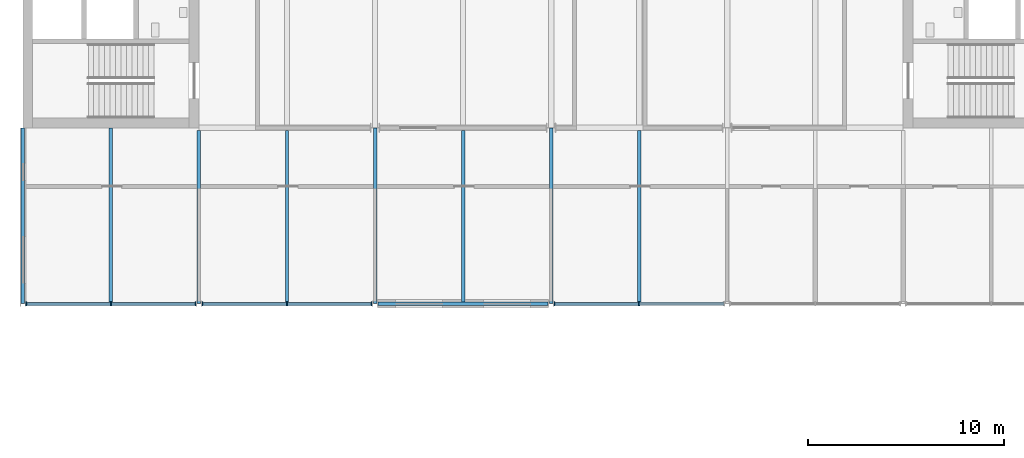
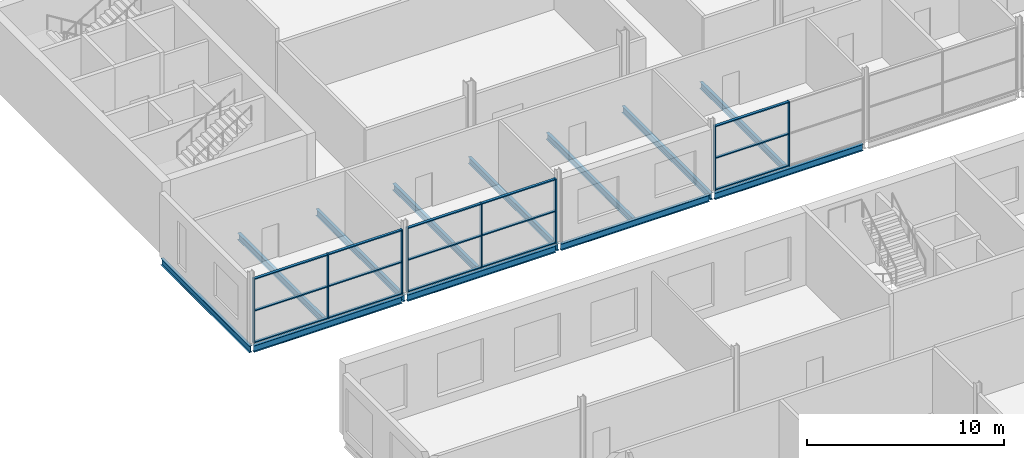
# One storey, part 39 of 97: 23 members, 12 beams, 3 elements without a shape of their own.
"""IFC4 building model written with IfcOpenShell, lengths in metres."""

from ifc_helpers import new_model, si_unit, direction, frame, origin, origin_2d, place, context, subcontext, project, spatial, rectangle, i_section, extrude, material, layer, layer_set, material_profile, profile_set, type_object, element, aggregate, save


model = new_model("IFC4")

# Units and contexts
model_context = context("Model", 3, precision=1e-05, world=origin(), true_north=direction((0.0, 1.0)))
body_context = subcontext(model_context, "Body", "Model", "MODEL_VIEW")
ifc_project = project(units=[si_unit("LENGTHUNIT", "METRE"), si_unit("AREAUNIT", "SQUARE_METRE"), si_unit("VOLUMEUNIT", "CUBIC_METRE"), si_unit("PLANEANGLEUNIT", "RADIAN"), si_unit("MASSUNIT", "GRAM", prefix="KILO")], contexts=[model_context])

# Site, building, storey
site_placement = place(None, origin())
site = spatial("IfcSite", under=ifc_project, at=site_placement, CompositionType="ELEMENT")
building_placement = place(site_placement, origin())
building = spatial("IfcBuilding", under=site, at=building_placement, Name="Corbel Yard City Hall", CompositionType="ELEMENT")
storey_placement = place(building_placement, frame((0.0, 0.0, 6.0)))
storey = spatial("IfcBuildingStorey", under=building, at=storey_placement, Name="L01", CompositionType="ELEMENT", Elevation=6.0)

# Beams
ifc_material_1 = material(Name="Steel Grade 300 (300 MPa yield)", Category="steel")
ifc_material_profile_1 = material_profile(ifc_material_1, i_section(OverallWidth=0.177978515625, OverallDepth=0.403076171875, WebThickness=0.007568359375, FlangeThickness=0.010986328125, at=origin_2d()), Name="410UB53.7")
ifc_profile_set_1 = profile_set([ifc_material_profile_1], Name="Steel Grade 300 (300 MPa yield)")
beam_type_1 = type_object("IfcBeamType", Name="Beam 410UB53.7", PredefinedType="BEAM", material=ifc_profile_set_1)
beam_1_placement = place(storey_placement, frame((9.0, 90.005859375, -0.3515625), z_axis=(0.0, 1.0, 0.0), x_axis=(-1.0, 0.0, 0.0)))
element("IfcBeam", 1, at=beam_1_placement, inside=storey, type_object=beam_type_1, Name="Beam 410UB53.7 SB6 L01floor", PredefinedType="BEAM", context=body_context, shape_type="SweptSolid", body=[
    extrude(i_section(OverallWidth=0.177978515625, OverallDepth=0.403076171875, WebThickness=0.007568359375, FlangeThickness=0.010986328125, at=origin_2d()), origin(), (0.0, 0.0, 1.0), 8.856689453125),
])
for number, where, z_axis, x_axis, name in (
    (2, (18.0, 90.005859375, -0.3515625), (0.0, 1.0, 0.0), (-1.0, 0.0, 0.0), "Beam 410UB53.7 SB6 L01floor"),
    (3, (27.0, 90.005859375, -0.3515625), (0.0, 1.0, 0.0), (-1.0, 0.0, 0.0), "Beam 410UB53.7 SB6 L01floor"),
):
    element("IfcBeam", number, at=place(storey_placement, frame(where, z_axis=z_axis, x_axis=x_axis)), inside=storey, type_object=beam_type_1, Name=name, PredefinedType="BEAM", context=body_context, shape_type="SweptSolid", body=[
        extrude(i_section(OverallWidth=0.177978515625, OverallDepth=0.403076171875, WebThickness=0.007568359375, FlangeThickness=0.010986328125, at=origin_2d()), origin(), (0.0, 0.0, 1.0), 8.97412109375),
    ])
ifc_material_profile_2 = material_profile(ifc_material_1, i_section(OverallWidth=0.177978515625, OverallDepth=0.406005859375, WebThickness=0.0078125, FlangeThickness=0.0126953125, at=origin_2d()), Name="410UB59.7")
ifc_profile_set_2 = profile_set([ifc_material_profile_2], Name="Steel Grade 300 (300 MPa yield)")
beam_type_2 = type_object("IfcBeamType", Name="Edge beam 410UB59.7", PredefinedType="BEAM", material=ifc_profile_set_2)
for number, where, z_axis, x_axis, name in (
    (4, (0.157470703125, 90.0, -0.35302734375), (1.0, 0.0, 0.0), (0.0, 1.0, 0.0), "Edge beam 410UB59.7 EB2 L01floor"),
    (5, (9.157470703125, 90.0, -0.35302734375), (1.0, 0.0, 0.0), (0.0, 1.0, 0.0), "Edge beam 410UB59.7 EB2 L01floor"),
    (6, (18.157470703125, 90.0, -0.35302734375), (1.0, 0.0, 0.0), (0.0, 1.0, 0.0), "Edge beam 410UB59.7 EB2 L01floor"),
    (7, (27.157470703125, 90.0, -0.35302734375), (1.0, 0.0, 0.0), (0.0, 1.0, 0.0), "Edge beam 410UB59.7 EB2 L01floor"),
):
    element("IfcBeam", number, at=place(storey_placement, frame(where, z_axis=z_axis, x_axis=x_axis)), inside=storey, type_object=beam_type_2, Name=name, PredefinedType="BEAM", context=body_context, shape_type="SweptSolid", body=[
        extrude(i_section(OverallWidth=0.177978515625, OverallDepth=0.406005859375, WebThickness=0.0078125, FlangeThickness=0.0126953125, at=origin_2d()), origin(), (0.0, 0.0, 1.0), 8.68505859375),
    ])
beam_2_placement = place(storey_placement, frame((0.0, 90.005859375, -0.35302734375), z_axis=(0.0, 1.0, 0.0), x_axis=(-1.0, 0.0, 0.0)))
element("IfcBeam", 8, at=beam_2_placement, inside=storey, type_object=beam_type_2, Name="Edge beam 410UB59.7 EB2 L01floor", PredefinedType="BEAM", context=body_context, shape_type="SweptSolid", body=[
    extrude(i_section(OverallWidth=0.177978515625, OverallDepth=0.406005859375, WebThickness=0.0078125, FlangeThickness=0.0126953125, at=origin_2d()), origin(), (0.0, 0.0, 1.0), 8.994140625),
])

# Curtain wall, members
ifc_material_2 = material(Name="Aluminium extrusion", Category="aluminium")
ifc_layer = layer(ifc_material_2, 0.199951171875)
ifc_layer_set = layer_set([ifc_layer], Name="Aluminium extrusion")
curtain_wall_type = type_object("IfcCurtainWallType", Name="CW1", PredefinedType="USERDEFINED", material=ifc_layer_set)
curtain_wall_1_placement = place(storey_placement, origin())
curtain_wall_1 = element("IfcCurtainWall", 9, at=curtain_wall_1_placement, inside=storey, type_object=curtain_wall_type, Name="Curtain wall CW1 L01", ObjectType="CURTAIN WALL", PredefinedType="USERDEFINED")
ifc_material_profile_3 = material_profile(ifc_material_2, rectangle(XDim=0.199951171875, YDim=0.06494140625, at=origin_2d()), Name="200x65")
ifc_profile_set_3 = profile_set([ifc_material_profile_3], Name="Aluminium extrusion")
member_type_1 = type_object("IfcMemberType", Name="ML1", PredefinedType="MULLION", material=ifc_profile_set_3)
member_1_placement = place(storey_placement, frame((0.16259765625, 90.0, 0.0), z_axis=(0.0, 0.0, 1.0), x_axis=(0.0, 1.0, 0.0)))
member_1 = element("IfcMember", 10, at=member_1_placement, type_object=member_type_1, Name="CW1 mullion 1", PredefinedType="MULLION", context=body_context, shape_type="SweptSolid", body=[
    extrude(rectangle(XDim=0.199951171875, YDim=0.06494140625, at=origin_2d()), origin(), (0.0, 0.0, 1.0), 3.990966796875),
])
member_2_placement = place(storey_placement, frame((4.5, 90.0, 0.0), z_axis=(0.0, 0.0, 1.0), x_axis=(0.0, 1.0, 0.0)))
member_2 = element("IfcMember", 11, at=member_2_placement, type_object=member_type_1, Name="CW1 mullion 2", PredefinedType="MULLION", context=body_context, shape_type="SweptSolid", body=[
    extrude(rectangle(XDim=0.199951171875, YDim=0.06494140625, at=origin_2d()), origin(), (0.0, 0.0, 1.0), 3.990966796875),
])
member_3_placement = place(storey_placement, frame((8.83740234375, 90.0, 0.0), z_axis=(0.0, 0.0, 1.0), x_axis=(0.0, 1.0, 0.0)))
member_3 = element("IfcMember", 12, at=member_3_placement, type_object=member_type_1, Name="CW1 mullion 3", PredefinedType="MULLION", context=body_context, shape_type="SweptSolid", body=[
    extrude(rectangle(XDim=0.199951171875, YDim=0.06494140625, at=origin_2d()), origin(), (0.0, 0.0, 1.0), 3.990966796875),
])

curtain_wall_2_placement = place(storey_placement, origin())
curtain_wall_2 = element("IfcCurtainWall", 13, at=curtain_wall_2_placement, inside=storey, type_object=curtain_wall_type, Name="Curtain wall CW1 L01", ObjectType="CURTAIN WALL", PredefinedType="USERDEFINED")
member_4_placement = place(storey_placement, frame((9.16259765625, 90.0, 0.0), z_axis=(0.0, 0.0, 1.0), x_axis=(0.0, 1.0, 0.0)))
member_4 = element("IfcMember", 14, at=member_4_placement, type_object=member_type_1, Name="CW1 mullion 1", PredefinedType="MULLION", context=body_context, shape_type="SweptSolid", body=[
    extrude(rectangle(XDim=0.199951171875, YDim=0.06494140625, at=origin_2d()), origin(), (0.0, 0.0, 1.0), 3.990966796875),
])
member_5_placement = place(storey_placement, frame((13.5, 90.0, 0.0), z_axis=(0.0, 0.0, 1.0), x_axis=(0.0, 1.0, 0.0)))
member_5 = element("IfcMember", 15, at=member_5_placement, type_object=member_type_1, Name="CW1 mullion 2", PredefinedType="MULLION", context=body_context, shape_type="SweptSolid", body=[
    extrude(rectangle(XDim=0.199951171875, YDim=0.06494140625, at=origin_2d()), origin(), (0.0, 0.0, 1.0), 3.990966796875),
])
member_6_placement = place(storey_placement, frame((17.83740234375, 90.0, 0.0), z_axis=(0.0, 0.0, 1.0), x_axis=(0.0, 1.0, 0.0)))
member_6 = element("IfcMember", 16, at=member_6_placement, type_object=member_type_1, Name="CW1 mullion 3", PredefinedType="MULLION", context=body_context, shape_type="SweptSolid", body=[
    extrude(rectangle(XDim=0.199951171875, YDim=0.06494140625, at=origin_2d()), origin(), (0.0, 0.0, 1.0), 3.990966796875),
])

curtain_wall_3_placement = place(storey_placement, origin())
curtain_wall_3 = element("IfcCurtainWall", 17, at=curtain_wall_3_placement, inside=storey, type_object=curtain_wall_type, Name="Curtain wall CW1 L01", ObjectType="CURTAIN WALL", PredefinedType="USERDEFINED")
member_7_placement = place(storey_placement, frame((27.16259765625, 90.0, 0.0), z_axis=(0.0, 0.0, 1.0), x_axis=(0.0, 1.0, 0.0)))
member_7 = element("IfcMember", 18, at=member_7_placement, type_object=member_type_1, Name="CW1 mullion 1", PredefinedType="MULLION", context=body_context, shape_type="SweptSolid", body=[
    extrude(rectangle(XDim=0.199951171875, YDim=0.06494140625, at=origin_2d()), origin(), (0.0, 0.0, 1.0), 3.990966796875),
])
member_8_placement = place(storey_placement, frame((31.5, 90.0, 0.0), z_axis=(0.0, 0.0, 1.0), x_axis=(0.0, 1.0, 0.0)))
member_8 = element("IfcMember", 19, at=member_8_placement, type_object=member_type_1, Name="CW1 mullion 2", PredefinedType="MULLION", context=body_context, shape_type="SweptSolid", body=[
    extrude(rectangle(XDim=0.199951171875, YDim=0.06494140625, at=origin_2d()), origin(), (0.0, 0.0, 1.0), 3.990966796875),
])

# Beams
ifc_material_profile_4 = material_profile(ifc_material_1, i_section(OverallWidth=0.177978515625, OverallDepth=0.403076171875, WebThickness=0.007568359375, FlangeThickness=0.010986328125, at=origin_2d()), Name="410UB53.7")
ifc_profile_set_4 = profile_set([ifc_material_profile_4], Name="Steel Grade 300 (300 MPa yield)")
beam_type_3 = type_object("IfcBeamType", Name="Secondary beam 410UB53.7", PredefinedType="JOIST", material=ifc_profile_set_4)
beam_3_placement = place(storey_placement, frame((4.5, 90.089111328125, -0.3515625), z_axis=(0.0, 1.0, 0.0), x_axis=(-1.0, 0.0, 0.0)))
element("IfcBeam", 20, at=beam_3_placement, inside=storey, type_object=beam_type_3, Name="Secondary beam 410UB53.7 SB5 L01floor", PredefinedType="JOIST", context=body_context, shape_type="SweptSolid", body=[
    extrude(i_section(OverallWidth=0.177978515625, OverallDepth=0.403076171875, WebThickness=0.007568359375, FlangeThickness=0.010986328125, at=origin_2d()), origin(), (0.0, 0.0, 1.0), 8.910888671875),
])
for number, where, z_axis, x_axis, name in (
    (21, (13.5, 90.089111328125, -0.3515625), (0.0, 1.0, 0.0), (-1.0, 0.0, 0.0), "Secondary beam 410UB53.7 SB5 L01floor"),
    (22, (22.5, 90.089111328125, -0.3515625), (0.0, 1.0, 0.0), (-1.0, 0.0, 0.0), "Secondary beam 410UB53.7 SB5 L01floor"),
    (23, (31.5, 90.089111328125, -0.3515625), (0.0, 1.0, 0.0), (-1.0, 0.0, 0.0), "Secondary beam 410UB53.7 SB5 L01floor"),
):
    element("IfcBeam", number, at=place(storey_placement, frame(where, z_axis=z_axis, x_axis=x_axis)), inside=storey, type_object=beam_type_3, Name=name, PredefinedType="JOIST", context=body_context, shape_type="SweptSolid", body=[
        extrude(i_section(OverallWidth=0.177978515625, OverallDepth=0.403076171875, WebThickness=0.007568359375, FlangeThickness=0.010986328125, at=origin_2d()), origin(), (0.0, 0.0, 1.0), 8.7734375),
    ])

# Member
ifc_material_profile_5 = material_profile(ifc_material_2, rectangle(XDim=0.14990234375, YDim=0.06494140625, at=origin_2d()), Name="150x65")
ifc_profile_set_5 = profile_set([ifc_material_profile_5], Name="Aluminium extrusion")
member_type_2 = type_object("IfcMemberType", Name="TR1", PredefinedType="USERDEFINED", material=ifc_profile_set_5)
member_9_placement = place(storey_placement, frame((0.195068359375, 90.0, 0.032470703125), z_axis=(1.0, 0.0, 0.0), x_axis=(0.0, 1.0, 0.0)))
member_9 = element("IfcMember", 24, at=member_9_placement, type_object=member_type_2, Name="CW1 transom 1.1", ObjectType="TRANSOM", PredefinedType="USERDEFINED", context=body_context, shape_type="SweptSolid", body=[
    extrude(rectangle(XDim=0.14990234375, YDim=0.06494140625, at=origin_2d()), origin(), (0.0, 0.0, 1.0), 4.2724609375),
])

member_10_placement = place(storey_placement, frame((0.195068359375, 90.0, 1.99560546875), z_axis=(1.0, 0.0, 0.0), x_axis=(0.0, 1.0, 0.0)))
member_10 = element("IfcMember", 25, at=member_10_placement, type_object=member_type_2, Name="CW1 transom 1.2", ObjectType="TRANSOM", PredefinedType="USERDEFINED", context=body_context, shape_type="SweptSolid", body=[
    extrude(rectangle(XDim=0.14990234375, YDim=0.06494140625, at=origin_2d()), origin(), (0.0, 0.0, 1.0), 4.2724609375),
])

member_11_placement = place(storey_placement, frame((0.195068359375, 90.0, 3.95849609375), z_axis=(1.0, 0.0, 0.0), x_axis=(0.0, 1.0, 0.0)))
member_11 = element("IfcMember", 26, at=member_11_placement, type_object=member_type_2, Name="CW1 transom 1.3", ObjectType="TRANSOM", PredefinedType="USERDEFINED", context=body_context, shape_type="SweptSolid", body=[
    extrude(rectangle(XDim=0.14990234375, YDim=0.06494140625, at=origin_2d()), origin(), (0.0, 0.0, 1.0), 4.2724609375),
])

member_12_placement = place(storey_placement, frame((4.532470703125, 90.0, 0.032470703125), z_axis=(1.0, 0.0, 0.0), x_axis=(0.0, 1.0, 0.0)))
member_12 = element("IfcMember", 27, at=member_12_placement, type_object=member_type_2, Name="CW1 transom 2.1", ObjectType="TRANSOM", PredefinedType="USERDEFINED", context=body_context, shape_type="SweptSolid", body=[
    extrude(rectangle(XDim=0.14990234375, YDim=0.06494140625, at=origin_2d()), origin(), (0.0, 0.0, 1.0), 4.2724609375),
])

member_13_placement = place(storey_placement, frame((4.532470703125, 90.0, 1.99560546875), z_axis=(1.0, 0.0, 0.0), x_axis=(0.0, 1.0, 0.0)))
member_13 = element("IfcMember", 28, at=member_13_placement, type_object=member_type_2, Name="CW1 transom 2.2", ObjectType="TRANSOM", PredefinedType="USERDEFINED", context=body_context, shape_type="SweptSolid", body=[
    extrude(rectangle(XDim=0.14990234375, YDim=0.06494140625, at=origin_2d()), origin(), (0.0, 0.0, 1.0), 4.2724609375),
])

member_14_placement = place(storey_placement, frame((4.532470703125, 90.0, 3.95849609375), z_axis=(1.0, 0.0, 0.0), x_axis=(0.0, 1.0, 0.0)))
member_14 = element("IfcMember", 29, at=member_14_placement, type_object=member_type_2, Name="CW1 transom 2.3", ObjectType="TRANSOM", PredefinedType="USERDEFINED", context=body_context, shape_type="SweptSolid", body=[
    extrude(rectangle(XDim=0.14990234375, YDim=0.06494140625, at=origin_2d()), origin(), (0.0, 0.0, 1.0), 4.2724609375),
])

aggregate(curtain_wall_1, [member_1, member_2, member_3, member_9, member_10, member_11, member_12, member_13, member_14])

member_15_placement = place(storey_placement, frame((9.195068359375, 90.0, 0.032470703125), z_axis=(1.0, 0.0, 0.0), x_axis=(0.0, 1.0, 0.0)))
member_15 = element("IfcMember", 30, at=member_15_placement, type_object=member_type_2, Name="CW1 transom 1.1", ObjectType="TRANSOM", PredefinedType="USERDEFINED", context=body_context, shape_type="SweptSolid", body=[
    extrude(rectangle(XDim=0.14990234375, YDim=0.06494140625, at=origin_2d()), origin(), (0.0, 0.0, 1.0), 4.2724609375),
])

member_16_placement = place(storey_placement, frame((9.195068359375, 90.0, 1.99560546875), z_axis=(1.0, 0.0, 0.0), x_axis=(0.0, 1.0, 0.0)))
member_16 = element("IfcMember", 31, at=member_16_placement, type_object=member_type_2, Name="CW1 transom 1.2", ObjectType="TRANSOM", PredefinedType="USERDEFINED", context=body_context, shape_type="SweptSolid", body=[
    extrude(rectangle(XDim=0.14990234375, YDim=0.06494140625, at=origin_2d()), origin(), (0.0, 0.0, 1.0), 4.2724609375),
])

member_17_placement = place(storey_placement, frame((9.195068359375, 90.0, 3.95849609375), z_axis=(1.0, 0.0, 0.0), x_axis=(0.0, 1.0, 0.0)))
member_17 = element("IfcMember", 32, at=member_17_placement, type_object=member_type_2, Name="CW1 transom 1.3", ObjectType="TRANSOM", PredefinedType="USERDEFINED", context=body_context, shape_type="SweptSolid", body=[
    extrude(rectangle(XDim=0.14990234375, YDim=0.06494140625, at=origin_2d()), origin(), (0.0, 0.0, 1.0), 4.2724609375),
])

member_18_placement = place(storey_placement, frame((13.532470703125, 90.0, 0.032470703125), z_axis=(1.0, 0.0, 0.0), x_axis=(0.0, 1.0, 0.0)))
member_18 = element("IfcMember", 33, at=member_18_placement, type_object=member_type_2, Name="CW1 transom 2.1", ObjectType="TRANSOM", PredefinedType="USERDEFINED", context=body_context, shape_type="SweptSolid", body=[
    extrude(rectangle(XDim=0.14990234375, YDim=0.06494140625, at=origin_2d()), origin(), (0.0, 0.0, 1.0), 4.2724609375),
])

member_19_placement = place(storey_placement, frame((13.532470703125, 90.0, 1.99560546875), z_axis=(1.0, 0.0, 0.0), x_axis=(0.0, 1.0, 0.0)))
member_19 = element("IfcMember", 34, at=member_19_placement, type_object=member_type_2, Name="CW1 transom 2.2", ObjectType="TRANSOM", PredefinedType="USERDEFINED", context=body_context, shape_type="SweptSolid", body=[
    extrude(rectangle(XDim=0.14990234375, YDim=0.06494140625, at=origin_2d()), origin(), (0.0, 0.0, 1.0), 4.2724609375),
])

member_20_placement = place(storey_placement, frame((13.532470703125, 90.0, 3.95849609375), z_axis=(1.0, 0.0, 0.0), x_axis=(0.0, 1.0, 0.0)))
member_20 = element("IfcMember", 35, at=member_20_placement, type_object=member_type_2, Name="CW1 transom 2.3", ObjectType="TRANSOM", PredefinedType="USERDEFINED", context=body_context, shape_type="SweptSolid", body=[
    extrude(rectangle(XDim=0.14990234375, YDim=0.06494140625, at=origin_2d()), origin(), (0.0, 0.0, 1.0), 4.2724609375),
])

aggregate(curtain_wall_2, [member_4, member_5, member_6, member_15, member_16, member_17, member_18, member_19, member_20])

member_21_placement = place(storey_placement, frame((27.195068359375, 90.0, 0.032470703125), z_axis=(1.0, 0.0, 0.0), x_axis=(0.0, 1.0, 0.0)))
member_21 = element("IfcMember", 36, at=member_21_placement, type_object=member_type_2, Name="CW1 transom 1.1", ObjectType="TRANSOM", PredefinedType="USERDEFINED", context=body_context, shape_type="SweptSolid", body=[
    extrude(rectangle(XDim=0.14990234375, YDim=0.06494140625, at=origin_2d()), origin(), (0.0, 0.0, 1.0), 4.2724609375),
])

member_22_placement = place(storey_placement, frame((27.195068359375, 90.0, 1.99560546875), z_axis=(1.0, 0.0, 0.0), x_axis=(0.0, 1.0, 0.0)))
member_22 = element("IfcMember", 37, at=member_22_placement, type_object=member_type_2, Name="CW1 transom 1.2", ObjectType="TRANSOM", PredefinedType="USERDEFINED", context=body_context, shape_type="SweptSolid", body=[
    extrude(rectangle(XDim=0.14990234375, YDim=0.06494140625, at=origin_2d()), origin(), (0.0, 0.0, 1.0), 4.2724609375),
])

member_23_placement = place(storey_placement, frame((27.195068359375, 90.0, 3.95849609375), z_axis=(1.0, 0.0, 0.0), x_axis=(0.0, 1.0, 0.0)))
member_23 = element("IfcMember", 38, at=member_23_placement, type_object=member_type_2, Name="CW1 transom 1.3", ObjectType="TRANSOM", PredefinedType="USERDEFINED", context=body_context, shape_type="SweptSolid", body=[
    extrude(rectangle(XDim=0.14990234375, YDim=0.06494140625, at=origin_2d()), origin(), (0.0, 0.0, 1.0), 4.2724609375),
])

aggregate(curtain_wall_3, [member_7, member_8, member_21, member_22, member_23])

save(model, "model.ifc")
